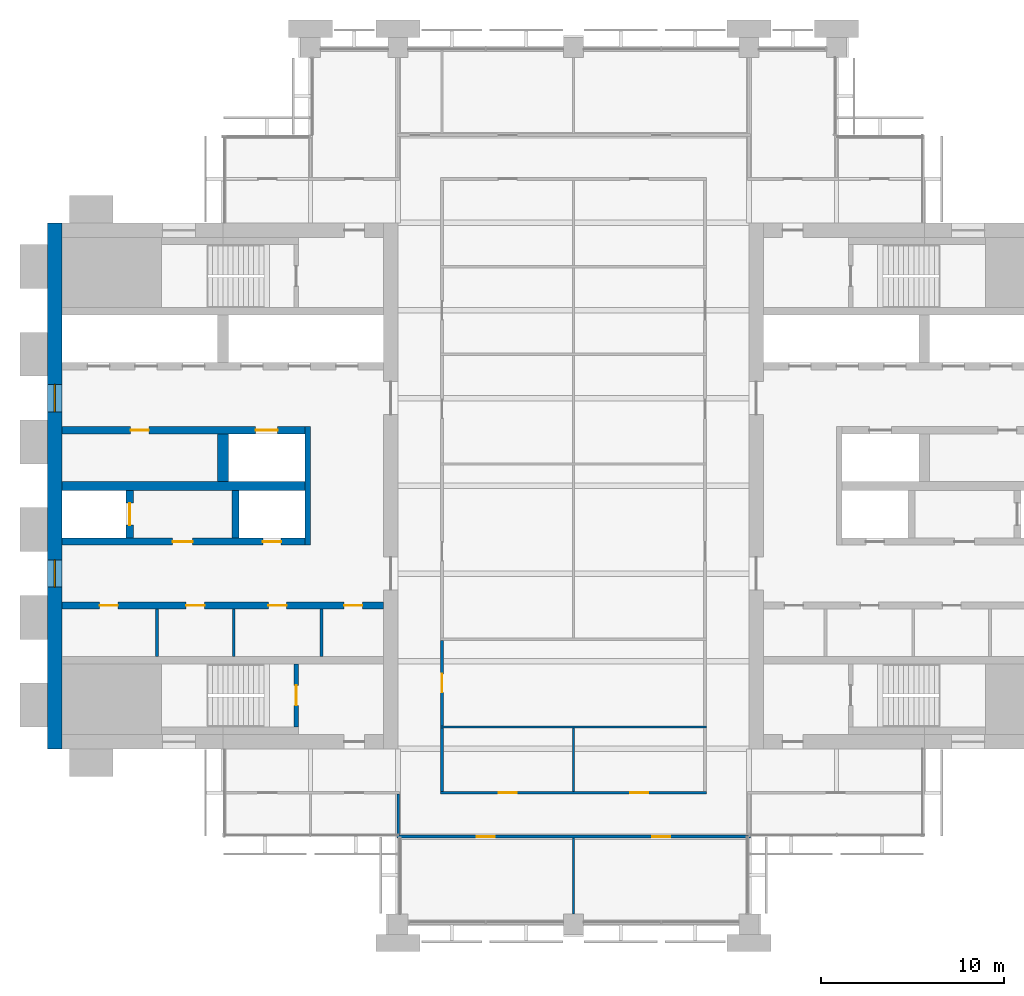
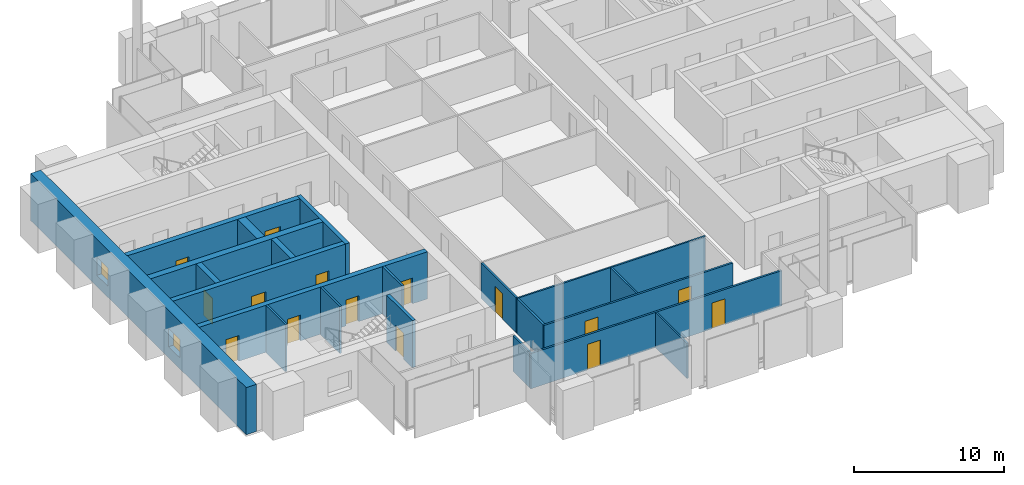
# One storey, part 8 of 13: 21 walls, 15 doors, 2 windows, 17 openings.
"""IFC4 building model written with IfcOpenShell, lengths in metres."""

from ifc_helpers import new_model, si_unit, direction, frame, frame_2d, origin, place, context, subcontext, project, spatial, rectangle, extrude, material, layer, layer_set, type_object, element, fill, save


model = new_model("IFC4")

# Units and contexts
model_context = context("Model", 3, precision=1e-05, world=origin(), true_north=direction((0.0, 1.0)))
body_context = subcontext(model_context, "Body", "Model", "MODEL_VIEW")
ifc_project = project(units=[si_unit("LENGTHUNIT", "METRE"), si_unit("AREAUNIT", "SQUARE_METRE"), si_unit("VOLUMEUNIT", "CUBIC_METRE"), si_unit("PLANEANGLEUNIT", "RADIAN"), si_unit("MASSUNIT", "GRAM", prefix="KILO")], contexts=[model_context])

# Site, building, storey
site_placement = place(None, origin())
site = spatial("IfcSite", under=ifc_project, at=site_placement, CompositionType="ELEMENT")
building_placement = place(site_placement, origin())
building = spatial("IfcBuilding", under=site, at=building_placement, Name="Baori Bourse Tower", CompositionType="ELEMENT")
storey_placement = place(building_placement, frame((0.0, 0.0, 201.199951171875)))
storey = spatial("IfcBuildingStorey", under=building, at=storey_placement, Name="L43", CompositionType="ELEMENT", Elevation=201.199951171875)

# Walls
ifc_material_1 = material(Name="Blockwork partition", Category="masonry")
ifc_layer_1 = layer(ifc_material_1, 0.14990234375)
ifc_layer_set_1 = layer_set([ifc_layer_1], Name="Core partition 150")
wall_type_1 = type_object("IfcWallType", Name="Core partition 150", PredefinedType="PARTITIONING", material=ifc_layer_set_1)
for number, where, z_axis, x_axis, name in (
    (1, (6.0, 14.64990234375, 0.0), (0.0, 0.0, 1.0), (0.0, 1.0, 0.0), "Partition wall W10"),
    (2, (10.199951171875, 14.64990234375, 0.0), (0.0, 0.0, 1.0), (0.0, 1.0, 0.0), "Partition wall W11"),
    (3, (15.0, 14.64990234375, 0.0), (0.0, 0.0, 1.0), (0.0, 1.0, 0.0), "Partition wall W12"),
):
    element("IfcWall", number, at=place(storey_placement, frame(where, z_axis=z_axis, x_axis=x_axis)), inside=storey, type_object=wall_type_1, Name=name, PredefinedType="PARTITIONING", context=body_context, shape_type="SweptSolid", body=[
        extrude(rectangle(XDim=2.60009765625, YDim=0.14990234375, at=frame_2d((1.300048828125, 0.0))), origin(), (0.0, 0.0, 1.0), 3.840087890625),
    ])

# Wall, openings, windows
ifc_material_2 = material(Name="Concrete f'c 50 MPa", Category="concrete")
ifc_layer_2 = layer(ifc_material_2, 0.800048828125)
ifc_layer_set_2 = layer_set([ifc_layer_2], Name="Core wall 800 f'c 50")
wall_type_2 = type_object("IfcWallType", Name="Core wall 800 f'c 50", PredefinedType="SHEAR", material=ifc_layer_set_2)
wall_1_placement = place(storey_placement, frame((0.39990234375, 9.60009765625, 0.0), z_axis=(0.0, 0.0, 1.0), x_axis=(0.0, 1.0, 0.0)))
wall_1 = element("IfcWall", 4, at=wall_1_placement, inside=storey, type_object=wall_type_2, Name="Core wall W01", PredefinedType="SHEAR", context=body_context, shape_type="SweptSolid", body=[
    extrude(rectangle(XDim=28.7998046875, YDim=0.800048828125, at=frame_2d((14.39990234375, 0.0))), origin(), (0.0, 0.0, 1.0), 3.840087890625),
])
opening_1_placement = place(wall_1_placement, frame((8.85009765625, 0.0, 0.89990234375)))
opening_1 = element("IfcOpeningElement", 5, at=opening_1_placement, cuts=wall_1, Name="Opening L43-KW101", PredefinedType="OPENING", context=body_context, shape_type="SweptSolid", body=[
    extrude(rectangle(XDim=1.5, YDim=1.5, at=frame_2d((0.75, 0.75))), frame((0.0, 0.409912109375, 0.0), z_axis=(0.0, -1.0, 0.0), x_axis=(1.0, 0.0, 0.0)), (0.0, 0.0, 1.0), 0.820068359375),
])
opening_2_placement = place(wall_1_placement, frame((18.449951171875, 0.0, 0.89990234375)))
opening_2 = element("IfcOpeningElement", 6, at=opening_2_placement, cuts=wall_1, Name="Opening L43-KW102", PredefinedType="OPENING", context=body_context, shape_type="SweptSolid", body=[
    extrude(rectangle(XDim=1.5, YDim=1.5, at=frame_2d((0.75, 0.75))), frame((0.0, 0.409912109375, 0.0), z_axis=(0.0, -1.0, 0.0), x_axis=(1.0, 0.0, 0.0)), (0.0, 0.0, 1.0), 0.820068359375),
])
ifc_material_3 = material(Name="Pale anodised aluminium", Category="aluminium")
window_type = type_object("IfcWindowType", Name="Lobby window 1500 x 1500", PartitioningType="SINGLE_PANEL", PredefinedType="WINDOW", material=ifc_material_3)
window_1_placement = place(opening_1_placement, origin())
window_1 = element("IfcWindow", 7, at=window_1_placement, inside=storey, type_object=window_type, Name="Outer wall window W L43 1", OverallHeight=1.5, OverallWidth=1.5, PartitioningType="SINGLE_PANEL", PredefinedType="WINDOW", context=body_context, shape_type="SweptSolid", body=[
    extrude(rectangle(XDim=1.5, YDim=1.5, at=frame_2d((0.75, 0.75))), frame((0.0, 0.030029296875, 0.0), z_axis=(0.0, -1.0, 0.0), x_axis=(1.0, 0.0, 0.0)), (0.0, 0.0, 1.0), 0.06005859375),
])
fill(opening_1, window_1)
window_2_placement = place(opening_2_placement, origin())
window_2 = element("IfcWindow", 8, at=window_2_placement, inside=storey, type_object=window_type, Name="Outer wall window W L43 2", OverallHeight=1.5, OverallWidth=1.5, PartitioningType="SINGLE_PANEL", PredefinedType="WINDOW", context=body_context, shape_type="SweptSolid", body=[
    extrude(rectangle(XDim=1.5, YDim=1.5, at=frame_2d((0.75, 0.75))), frame((0.0, 0.030029296875, 0.0), z_axis=(0.0, -1.0, 0.0), x_axis=(1.0, 0.0, 0.0)), (0.0, 0.0, 1.0), 0.06005859375),
])
fill(opening_2, window_2)

# Wall, openings, doors
ifc_material_4 = material(Name="Gypsum board partition")
ifc_layer_3 = layer(ifc_material_4, 0.14990234375)
ifc_layer_set_3 = layer_set([ifc_layer_3], Name="Corridor partition 150")
wall_type_3 = type_object("IfcWallType", Name="Corridor partition 150", PredefinedType="PARTITIONING", material=ifc_layer_set_3)
wall_2_placement = place(storey_placement, frame((19.125, 4.800048828125, 0.0), z_axis=(0.0, 0.0, 1.0), x_axis=(1.0, 0.0, 0.0)))
wall_2 = element("IfcWall", 9, at=wall_2_placement, inside=storey, type_object=wall_type_3, Name="Partition", PredefinedType="PARTITIONING", context=body_context, shape_type="SweptSolid", body=[
    extrude(rectangle(XDim=19.35009765625, YDim=0.14990234375, at=frame_2d((9.675048828125, 0.0))), origin(), (0.0, 0.0, 1.0), 2.869873046875),
])
opening_3_placement = place(wall_2_placement, frame((4.375, 0.0, 0.0)))
opening_3 = element("IfcOpeningElement", 10, at=opening_3_placement, cuts=wall_2, Name="Opening L43-D01", PredefinedType="OPENING", context=body_context, shape_type="SweptSolid", body=[
    extrude(rectangle(XDim=1.0, YDim=2.10009765625, at=frame_2d((0.5, 1.050048828125))), frame((0.0, 0.0849609375, 0.0), z_axis=(0.0, -1.0, 0.0), x_axis=(1.0, 0.0, 0.0)), (0.0, 0.0, 1.0), 0.169921875),
])
opening_4_placement = place(wall_2_placement, frame((13.97509765625, 0.0, 0.0)))
opening_4 = element("IfcOpeningElement", 11, at=opening_4_placement, cuts=wall_2, Name="Opening L43-D02", PredefinedType="OPENING", context=body_context, shape_type="SweptSolid", body=[
    extrude(rectangle(XDim=1.0, YDim=2.10009765625, at=frame_2d((0.5, 1.050048828125))), frame((0.0, 0.0849609375, 0.0), z_axis=(0.0, -1.0, 0.0), x_axis=(1.0, 0.0, 0.0)), (0.0, 0.0, 1.0), 0.169921875),
])
ifc_material_5 = material(Name="Timber door leaf", Category="wood")
door_type_1 = type_object("IfcDoorType", Name="Door 1000 x 2100", OperationType="SINGLE_SWING_LEFT", PredefinedType="DOOR", material=ifc_material_5)
door_1_placement = place(opening_3_placement, origin())
door_1 = element("IfcDoor", 12, at=door_1_placement, inside=storey, type_object=door_type_1, Name="Door", OperationType="SINGLE_SWING_LEFT", OverallHeight=2.10009765625, OverallWidth=1.0, PredefinedType="DOOR", context=body_context, shape_type="SweptSolid", body=[
    extrude(rectangle(XDim=1.0, YDim=2.10009765625, at=frame_2d((0.5, 1.050048828125))), frame((0.0, 0.02490234375, 0.0), z_axis=(0.0, -1.0, 0.0), x_axis=(1.0, 0.0, 0.0)), (0.0, 0.0, 1.0), 0.050048828125),
])
fill(opening_3, door_1)
door_2_placement = place(opening_4_placement, origin())
door_2 = element("IfcDoor", 13, at=door_2_placement, inside=storey, type_object=door_type_1, Name="Door", OperationType="SINGLE_SWING_RIGHT", OverallHeight=2.10009765625, OverallWidth=1.0, PredefinedType="DOOR", context=body_context, shape_type="SweptSolid", body=[
    extrude(rectangle(XDim=1.0, YDim=2.10009765625, at=frame_2d((0.5, 1.050048828125))), frame((0.0, 0.02490234375, 0.0), z_axis=(0.0, -1.0, 0.0), x_axis=(1.0, 0.0, 0.0)), (0.0, 0.0, 1.0), 0.050048828125),
])
fill(opening_4, door_2)

wall_3_placement = place(storey_placement, frame((21.52490234375, 7.199951171875, 0.0), z_axis=(0.0, 0.0, 1.0), x_axis=(1.0, 0.0, 0.0)))
wall_3 = element("IfcWall", 14, at=wall_3_placement, inside=storey, type_object=wall_type_3, Name="Partition", PredefinedType="PARTITIONING", context=body_context, shape_type="SweptSolid", body=[
    extrude(rectangle(XDim=14.550048828125, YDim=0.14990234375, at=frame_2d((7.27490234375, 0.0))), origin(), (0.0, 0.0, 1.0), 2.869873046875),
])
opening_5_placement = place(wall_3_placement, frame((3.175048828125, 0.0, 0.0)))
opening_5 = element("IfcOpeningElement", 15, at=opening_5_placement, cuts=wall_3, Name="Opening L43-D05", PredefinedType="OPENING", context=body_context, shape_type="SweptSolid", body=[
    extrude(rectangle(XDim=1.0, YDim=2.10009765625, at=frame_2d((0.5, 1.050048828125))), frame((0.0, 0.0849609375, 0.0), z_axis=(0.0, -1.0, 0.0), x_axis=(1.0, 0.0, 0.0)), (0.0, 0.0, 1.0), 0.169921875),
])
opening_6_placement = place(wall_3_placement, frame((10.375, 0.0, 0.0)))
opening_6 = element("IfcOpeningElement", 16, at=opening_6_placement, cuts=wall_3, Name="Opening L43-D06", PredefinedType="OPENING", context=body_context, shape_type="SweptSolid", body=[
    extrude(rectangle(XDim=1.0, YDim=2.10009765625, at=frame_2d((0.5, 1.050048828125))), frame((0.0, 0.0849609375, 0.0), z_axis=(0.0, -1.0, 0.0), x_axis=(1.0, 0.0, 0.0)), (0.0, 0.0, 1.0), 0.169921875),
])
door_3_placement = place(opening_5_placement, origin())
door_3 = element("IfcDoor", 17, at=door_3_placement, inside=storey, type_object=door_type_1, Name="Door", OperationType="SINGLE_SWING_RIGHT", OverallHeight=2.10009765625, OverallWidth=1.0, PredefinedType="DOOR", context=body_context, shape_type="SweptSolid", body=[
    extrude(rectangle(XDim=1.0, YDim=2.10009765625, at=frame_2d((0.5, 1.050048828125))), frame((0.0, 0.02490234375, 0.0), z_axis=(0.0, -1.0, 0.0), x_axis=(1.0, 0.0, 0.0)), (0.0, 0.0, 1.0), 0.050048828125),
])
fill(opening_5, door_3)
door_4_placement = place(opening_6_placement, origin())
door_4 = element("IfcDoor", 18, at=door_4_placement, inside=storey, type_object=door_type_1, Name="Door", OperationType="SINGLE_SWING_LEFT", OverallHeight=2.10009765625, OverallWidth=1.0, PredefinedType="DOOR", context=body_context, shape_type="SweptSolid", body=[
    extrude(rectangle(XDim=1.0, YDim=2.10009765625, at=frame_2d((0.5, 1.050048828125))), frame((0.0, 0.02490234375, 0.0), z_axis=(0.0, -1.0, 0.0), x_axis=(1.0, 0.0, 0.0)), (0.0, 0.0, 1.0), 0.050048828125),
])
fill(opening_6, door_4)

# Walls
wall_4_placement = place(storey_placement, frame((19.199951171875, 4.875, 0.0), z_axis=(0.0, 0.0, 1.0), x_axis=(0.0, 1.0, 0.0)))
element("IfcWall", 19, at=wall_4_placement, inside=storey, type_object=wall_type_3, Name="Partition", PredefinedType="PARTITIONING", context=body_context, shape_type="SweptSolid", body=[
    extrude(rectangle(XDim=2.25, YDim=0.14990234375, at=frame_2d((1.125, 0.0))), origin(), (0.0, 0.0, 1.0), 2.869873046875),
])
wall_5_placement = place(storey_placement, frame((21.60009765625, 7.27490234375, 0.0), z_axis=(0.0, 0.0, 1.0), x_axis=(0.0, 1.0, 0.0)))
element("IfcWall", 20, at=wall_5_placement, inside=storey, type_object=wall_type_3, Name="Partition", PredefinedType="PARTITIONING", context=body_context, shape_type="SweptSolid", body=[
    extrude(rectangle(XDim=3.462646484375, YDim=0.14990234375, at=frame_2d((1.7314453125, 0.0))), origin(), (0.0, 0.0, 1.0), 2.869873046875),
])

# Wall, opening, door
wall_6_placement = place(storey_placement, frame((21.60009765625, 10.862548828125, 0.0), z_axis=(0.0, 0.0, 1.0), x_axis=(0.0, 1.0, 0.0)))
wall_6 = element("IfcWall", 21, at=wall_6_placement, inside=storey, type_object=wall_type_3, Name="Partition", PredefinedType="PARTITIONING", context=body_context, shape_type="SweptSolid", body=[
    extrude(rectangle(XDim=4.675048828125, YDim=0.14990234375, at=frame_2d((2.33740234375, 0.0))), origin(), (0.0, 0.0, 1.0), 2.869873046875),
])
opening_7_placement = place(wall_6_placement, frame((1.83740234375, 0.0, 0.0)))
opening_7 = element("IfcOpeningElement", 22, at=opening_7_placement, cuts=wall_6, Name="Opening L43-D17", PredefinedType="OPENING", context=body_context, shape_type="SweptSolid", body=[
    extrude(rectangle(XDim=1.0, YDim=2.10009765625, at=frame_2d((0.5, 1.050048828125))), frame((0.0, 0.0849609375, 0.0), z_axis=(0.0, -1.0, 0.0), x_axis=(1.0, 0.0, 0.0)), (0.0, 0.0, 1.0), 0.169921875),
])
door_5_placement = place(opening_7_placement, origin())
door_5 = element("IfcDoor", 23, at=door_5_placement, inside=storey, type_object=door_type_1, Name="Door", OperationType="SINGLE_SWING_LEFT", OverallHeight=2.10009765625, OverallWidth=1.0, PredefinedType="DOOR", context=body_context, shape_type="SweptSolid", body=[
    extrude(rectangle(XDim=1.0, YDim=2.10009765625, at=frame_2d((0.5, 1.050048828125))), frame((0.0, 0.02490234375, 0.0), z_axis=(0.0, -1.0, 0.0), x_axis=(1.0, 0.0, 0.0)), (0.0, 0.0, 1.0), 0.050048828125),
])
fill(opening_7, door_5)

# Walls
ifc_material_6 = material(Name="Gypsum board partition")
ifc_layer_4 = layer(ifc_material_6, 0.125)
ifc_layer_set_4 = layer_set([ifc_layer_4], Name="Partition 125")
wall_type_4 = type_object("IfcWallType", Name="Partition 125", PredefinedType="PARTITIONING", material=ifc_layer_set_4)
wall_7_placement = place(storey_placement, frame((21.52490234375, 10.800048828125, 0.0), z_axis=(0.0, 0.0, 1.0), x_axis=(1.0, 0.0, 0.0)))
element("IfcWall", 24, at=wall_7_placement, inside=storey, type_object=wall_type_4, Name="Partition", PredefinedType="PARTITIONING", context=body_context, shape_type="SweptSolid", body=[
    extrude(rectangle(XDim=14.550048828125, YDim=0.125, at=frame_2d((7.27490234375, 0.0))), origin(), (0.0, 0.0, 1.0), 2.869873046875),
])
wall_8_placement = place(storey_placement, frame((28.800048828125, 0.550048828125, 0.0), z_axis=(0.0, 0.0, 1.0), x_axis=(0.0, 1.0, 0.0)))
element("IfcWall", 25, at=wall_8_placement, inside=storey, type_object=wall_type_4, Name="Partition", PredefinedType="PARTITIONING", context=body_context, shape_type="SweptSolid", body=[
    extrude(rectangle(XDim=4.175048828125, YDim=0.125, at=frame_2d((2.08740234375, 0.0))), origin(), (0.0, 0.0, 1.0), 2.869873046875),
])
wall_9_placement = place(storey_placement, frame((28.800048828125, 7.27490234375, 0.0), z_axis=(0.0, 0.0, 1.0), x_axis=(0.0, 1.0, 0.0)))
element("IfcWall", 26, at=wall_9_placement, inside=storey, type_object=wall_type_4, Name="Partition", PredefinedType="PARTITIONING", context=body_context, shape_type="SweptSolid", body=[
    extrude(rectangle(XDim=3.462646484375, YDim=0.125, at=frame_2d((1.7314453125, 0.0))), origin(), (0.0, 0.0, 1.0), 2.869873046875),
])

# Wall, opening, door
ifc_material_7 = material(Name="Concrete f'c 50 MPa", Category="concrete")
ifc_layer_5 = layer(ifc_material_7, 0.25)
ifc_layer_set_5 = layer_set([ifc_layer_5], Name="Shaft wall 250 f'c 50")
wall_type_5 = type_object("IfcWallType", Name="Shaft wall 250 f'c 50", PredefinedType="SHEAR", material=ifc_layer_set_5)
wall_10_placement = place(storey_placement, frame((13.625, 10.800048828125, 0.0), z_axis=(0.0, 0.0, 1.0), x_axis=(0.0, 1.0, 0.0)))
wall_10 = element("IfcWall", 27, at=wall_10_placement, inside=storey, type_object=wall_type_5, Name="Core wall W08", PredefinedType="SHEAR", context=body_context, shape_type="SweptSolid", body=[
    extrude(rectangle(XDim=3.449951171875, YDim=0.25, at=frame_2d((1.72509765625, 0.0))), origin(), (0.0, 0.0, 1.0), 3.840087890625),
])
opening_8_placement = place(wall_10_placement, frame((1.175048828125, 0.0, 0.0)))
opening_8 = element("IfcOpeningElement", 28, at=opening_8_placement, cuts=wall_10, Name="Opening L43-D101", PredefinedType="OPENING", context=body_context, shape_type="SweptSolid", body=[
    extrude(rectangle(XDim=1.10009765625, YDim=2.10009765625, at=frame_2d((0.550048828125, 1.050048828125))), frame((0.0, 0.135009765625, 0.0), z_axis=(0.0, -1.0, 0.0), x_axis=(1.0, 0.0, 0.0)), (0.0, 0.0, 1.0), 0.27001953125),
])
ifc_material_8 = material(Name="Painted steel door", Category="steel")
door_type_2 = type_object("IfcDoorType", Name="Stair door 1100", OperationType="SINGLE_SWING_LEFT", PredefinedType="DOOR", material=ifc_material_8)
door_6_placement = place(opening_8_placement, origin())
door_6 = element("IfcDoor", 29, at=door_6_placement, inside=storey, type_object=door_type_2, Name="Stair door A W L43", OperationType="SINGLE_SWING_LEFT", OverallHeight=2.10009765625, OverallWidth=1.10009765625, PredefinedType="DOOR", context=body_context, shape_type="SweptSolid", body=[
    extrude(rectangle(XDim=1.10009765625, YDim=2.10009765625, at=frame_2d((0.550048828125, 1.050048828125))), frame((0.0, 0.02490234375, 0.0), z_axis=(0.0, -1.0, 0.0), x_axis=(1.0, 0.0, 0.0)), (0.0, 0.0, 1.0), 0.050048828125),
])
fill(opening_8, door_6)

# Wall
ifc_material_9 = material(Name="Concrete f'c 50 MPa", Category="concrete")
ifc_layer_6 = layer(ifc_material_9, 0.300048828125)
ifc_layer_set_6 = layer_set([ifc_layer_6], Name="Shaft wall 300 f'c 50")
wall_type_6 = type_object("IfcWallType", Name="Shaft wall 300 f'c 50", PredefinedType="SHEAR", material=ifc_layer_set_6)
wall_11_placement = place(storey_placement, frame((14.25, 20.75, 0.0), z_axis=(0.0, 0.0, 1.0), x_axis=(0.0, 1.0, 0.0)))
element("IfcWall", 30, at=wall_11_placement, inside=storey, type_object=wall_type_6, Name="Core wall W15", PredefinedType="SHEAR", context=body_context, shape_type="SweptSolid", body=[
    extrude(rectangle(XDim=6.5, YDim=0.300048828125, at=frame_2d((3.25, 0.0))), origin(), (0.0, 0.0, 1.0), 3.840087890625),
])

# Wall, openings, doors
ifc_material_10 = material(Name="Concrete f'c 50 MPa", Category="concrete")
ifc_layer_7 = layer(ifc_material_10, 0.39990234375)
ifc_layer_set_7 = layer_set([ifc_layer_7], Name="Shaft wall 400 f'c 50")
wall_type_7 = type_object("IfcWallType", Name="Shaft wall 400 f'c 50", PredefinedType="SHEAR", material=ifc_layer_set_7)
wall_12_placement = place(storey_placement, frame((0.800048828125, 17.449951171875, 0.0), z_axis=(0.0, 0.0, 1.0), x_axis=(1.0, 0.0, 0.0)))
wall_12 = element("IfcWall", 31, at=wall_12_placement, inside=storey, type_object=wall_type_7, Name="Core wall W13", PredefinedType="SHEAR", context=body_context, shape_type="SweptSolid", body=[
    extrude(rectangle(XDim=17.599853515625, YDim=0.39990234375, at=frame_2d((8.7998046875, 0.0))), origin(), (0.0, 0.0, 1.0), 3.840087890625),
])
opening_9_placement = place(wall_12_placement, frame((2.0625, 0.0, 0.0)))
opening_9 = element("IfcOpeningElement", 32, at=opening_9_placement, cuts=wall_12, Name="Opening L43-D109", PredefinedType="OPENING", context=body_context, shape_type="SweptSolid", body=[
    extrude(rectangle(XDim=1.0, YDim=2.10009765625, at=frame_2d((0.5, 1.050048828125))), frame((0.0, 0.2099609375, 0.0), z_axis=(0.0, -1.0, 0.0), x_axis=(1.0, 0.0, 0.0)), (0.0, 0.0, 1.0), 0.419921875),
])
opening_10_placement = place(wall_12_placement, frame((6.800048828125, 0.0, 0.0)))
opening_10 = element("IfcOpeningElement", 33, at=opening_10_placement, cuts=wall_12, Name="Opening L43-D110", PredefinedType="OPENING", context=body_context, shape_type="SweptSolid", body=[
    extrude(rectangle(XDim=1.0, YDim=2.10009765625, at=frame_2d((0.5, 1.050048828125))), frame((0.0, 0.2099609375, 0.0), z_axis=(0.0, -1.0, 0.0), x_axis=(1.0, 0.0, 0.0)), (0.0, 0.0, 1.0), 0.419921875),
])
opening_11_placement = place(wall_12_placement, frame((11.300048828125, 0.0, 0.0)))
opening_11 = element("IfcOpeningElement", 34, at=opening_11_placement, cuts=wall_12, Name="Opening L43-D111", PredefinedType="OPENING", context=body_context, shape_type="SweptSolid", body=[
    extrude(rectangle(XDim=1.0, YDim=2.10009765625, at=frame_2d((0.5, 1.050048828125))), frame((0.0, 0.2099609375, 0.0), z_axis=(0.0, -1.0, 0.0), x_axis=(1.0, 0.0, 0.0)), (0.0, 0.0, 1.0), 0.419921875),
])
opening_12_placement = place(wall_12_placement, frame((15.4375, 0.0, 0.0)))
opening_12 = element("IfcOpeningElement", 35, at=opening_12_placement, cuts=wall_12, Name="Opening L43-D112", PredefinedType="OPENING", context=body_context, shape_type="SweptSolid", body=[
    extrude(rectangle(XDim=1.0, YDim=2.10009765625, at=frame_2d((0.5, 1.050048828125))), frame((0.0, 0.2099609375, 0.0), z_axis=(0.0, -1.0, 0.0), x_axis=(1.0, 0.0, 0.0)), (0.0, 0.0, 1.0), 0.419921875),
])
ifc_material_11 = material(Name="Painted steel door", Category="steel")
door_type_3 = type_object("IfcDoorType", Name="Core door 1000", OperationType="SINGLE_SWING_LEFT", PredefinedType="DOOR", material=ifc_material_11)
door_7_placement = place(opening_9_placement, origin())
door_7 = element("IfcDoor", 36, at=door_7_placement, inside=storey, type_object=door_type_3, Name="Men'S Wc door W L43", OperationType="SINGLE_SWING_LEFT", OverallHeight=2.10009765625, OverallWidth=1.0, PredefinedType="DOOR", context=body_context, shape_type="SweptSolid", body=[
    extrude(rectangle(XDim=1.0, YDim=2.10009765625, at=frame_2d((0.5, 1.050048828125))), frame((0.0, 0.02490234375, 0.0), z_axis=(0.0, -1.0, 0.0), x_axis=(1.0, 0.0, 0.0)), (0.0, 0.0, 1.0), 0.050048828125),
])
fill(opening_9, door_7)
door_8_placement = place(opening_10_placement, origin())
door_8 = element("IfcDoor", 37, at=door_8_placement, inside=storey, type_object=door_type_3, Name="Accessible Wc door W L43", OperationType="SINGLE_SWING_LEFT", OverallHeight=2.10009765625, OverallWidth=1.0, PredefinedType="DOOR", context=body_context, shape_type="SweptSolid", body=[
    extrude(rectangle(XDim=1.0, YDim=2.10009765625, at=frame_2d((0.5, 1.050048828125))), frame((0.0, 0.02490234375, 0.0), z_axis=(0.0, -1.0, 0.0), x_axis=(1.0, 0.0, 0.0)), (0.0, 0.0, 1.0), 0.050048828125),
])
fill(opening_10, door_8)
door_9_placement = place(opening_11_placement, origin())
door_9 = element("IfcDoor", 38, at=door_9_placement, inside=storey, type_object=door_type_3, Name="Women'S Wc door W L43", OperationType="SINGLE_SWING_LEFT", OverallHeight=2.10009765625, OverallWidth=1.0, PredefinedType="DOOR", context=body_context, shape_type="SweptSolid", body=[
    extrude(rectangle(XDim=1.0, YDim=2.10009765625, at=frame_2d((0.5, 1.050048828125))), frame((0.0, 0.02490234375, 0.0), z_axis=(0.0, -1.0, 0.0), x_axis=(1.0, 0.0, 0.0)), (0.0, 0.0, 1.0), 0.050048828125),
])
fill(opening_11, door_9)
ifc_material_12 = material(Name="Painted steel door", Category="steel")
door_type_4 = type_object("IfcDoorType", Name="Plant room door 1000", OperationType="SINGLE_SWING_LEFT", PredefinedType="DOOR", material=ifc_material_12)
door_10_placement = place(opening_12_placement, origin())
door_10 = element("IfcDoor", 39, at=door_10_placement, inside=storey, type_object=door_type_4, Name="Plumbing Equipment Room door W L43", OperationType="SINGLE_SWING_LEFT", OverallHeight=2.10009765625, OverallWidth=1.0, PredefinedType="DOOR", context=body_context, shape_type="SweptSolid", body=[
    extrude(rectangle(XDim=1.0, YDim=2.10009765625, at=frame_2d((0.5, 1.050048828125))), frame((0.0, 0.02490234375, 0.0), z_axis=(0.0, -1.0, 0.0), x_axis=(1.0, 0.0, 0.0)), (0.0, 0.0, 1.0), 0.050048828125),
])
fill(opening_12, door_10)

wall_13_placement = place(storey_placement, frame((0.800048828125, 20.949951171875, 0.0), z_axis=(0.0, 0.0, 1.0), x_axis=(1.0, 0.0, 0.0)))
wall_13 = element("IfcWall", 40, at=wall_13_placement, inside=storey, type_object=wall_type_7, Name="Core wall W14", PredefinedType="SHEAR", context=body_context, shape_type="SweptSolid", body=[
    extrude(rectangle(XDim=13.300048828125, YDim=0.39990234375, at=frame_2d((6.64990234375, 0.0))), origin(), (0.0, 0.0, 1.0), 3.840087890625),
])
opening_13_placement = place(wall_13_placement, frame((6.050048828125, 0.0, 0.0)))
opening_13 = element("IfcOpeningElement", 41, at=opening_13_placement, cuts=wall_13, Name="Opening L43-D105", PredefinedType="OPENING", context=body_context, shape_type="SweptSolid", body=[
    extrude(rectangle(XDim=1.10009765625, YDim=2.10009765625, at=frame_2d((0.550048828125, 1.050048828125))), frame((0.0, 0.2099609375, 0.0), z_axis=(0.0, -1.0, 0.0), x_axis=(1.0, 0.0, 0.0)), (0.0, 0.0, 1.0), 0.419921875),
])
opening_14_placement = place(wall_13_placement, frame((11.0, 0.0, 0.0)))
opening_14 = element("IfcOpeningElement", 42, at=opening_14_placement, cuts=wall_13, Name="Opening L43-D106", PredefinedType="OPENING", context=body_context, shape_type="SweptSolid", body=[
    extrude(rectangle(XDim=1.0, YDim=2.10009765625, at=frame_2d((0.5, 1.050048828125))), frame((0.0, 0.2099609375, 0.0), z_axis=(0.0, -1.0, 0.0), x_axis=(1.0, 0.0, 0.0)), (0.0, 0.0, 1.0), 0.419921875),
])
ifc_material_13 = material(Name="Painted steel door", Category="steel")
door_type_5 = type_object("IfcDoorType", Name="Lobby door 1100", OperationType="SINGLE_SWING_LEFT", PredefinedType="DOOR", material=ifc_material_13)
door_11_placement = place(opening_13_placement, origin())
door_11 = element("IfcDoor", 43, at=door_11_placement, inside=storey, type_object=door_type_5, Name="Firefighting lobby door W L43", OperationType="SINGLE_SWING_LEFT", OverallHeight=2.10009765625, OverallWidth=1.10009765625, PredefinedType="DOOR", context=body_context, shape_type="SweptSolid", body=[
    extrude(rectangle(XDim=1.10009765625, YDim=2.10009765625, at=frame_2d((0.550048828125, 1.050048828125))), frame((0.0, 0.02490234375, 0.0), z_axis=(0.0, -1.0, 0.0), x_axis=(1.0, 0.0, 0.0)), (0.0, 0.0, 1.0), 0.050048828125),
])
fill(opening_13, door_11)
ifc_material_14 = material(Name="Painted steel door", Category="steel")
door_type_6 = type_object("IfcDoorType", Name="Shaft door 1000", OperationType="SINGLE_SWING_LEFT", PredefinedType="DOOR", material=ifc_material_14)
door_12_placement = place(opening_14_placement, origin())
door_12 = element("IfcDoor", 44, at=door_12_placement, inside=storey, type_object=door_type_6, Name="Riser room door W L43", OperationType="SINGLE_SWING_LEFT", OverallHeight=2.10009765625, OverallWidth=1.0, PredefinedType="DOOR", context=body_context, shape_type="SweptSolid", body=[
    extrude(rectangle(XDim=1.0, YDim=2.10009765625, at=frame_2d((0.5, 1.050048828125))), frame((0.0, 0.02490234375, 0.0), z_axis=(0.0, -1.0, 0.0), x_axis=(1.0, 0.0, 0.0)), (0.0, 0.0, 1.0), 0.050048828125),
])
fill(opening_14, door_12)

# Wall, opening, door
wall_14_placement = place(storey_placement, frame((4.5, 21.14990234375, 0.0), z_axis=(0.0, 0.0, 1.0), x_axis=(0.0, 1.0, 0.0)))
wall_14 = element("IfcWall", 45, at=wall_14_placement, inside=storey, type_object=wall_type_7, Name="Core wall W16", PredefinedType="SHEAR", context=body_context, shape_type="SweptSolid", body=[
    extrude(rectangle(XDim=2.60009765625, YDim=0.39990234375, at=frame_2d((1.300048828125, 0.0))), origin(), (0.0, 0.0, 1.0), 3.840087890625),
])
opening_15_placement = place(wall_14_placement, frame((0.699951171875, 0.0, 0.0)))
opening_15 = element("IfcOpeningElement", 46, at=opening_15_placement, cuts=wall_14, Name="Opening L43-D121", PredefinedType="OPENING", context=body_context, shape_type="SweptSolid", body=[
    extrude(rectangle(XDim=1.199951171875, YDim=2.10009765625, at=frame_2d((0.60009765625, 1.050048828125))), frame((0.0, 0.2099609375, 0.0), z_axis=(0.0, -1.0, 0.0), x_axis=(1.0, 0.0, 0.0)), (0.0, 0.0, 1.0), 0.419921875),
])
ifc_material_15 = material(Name="Stainless steel door", Category="steel")
door_type_7 = type_object("IfcDoorType", Name="Lift landing door", OperationType="DOUBLE_DOOR_SLIDING", PredefinedType="DOOR", material=ifc_material_15)
door_13_placement = place(opening_15_placement, origin())
door_13 = element("IfcDoor", 47, at=door_13_placement, inside=storey, type_object=door_type_7, Name="Lift landing door FF1 W L43", OperationType="DOUBLE_DOOR_SLIDING", OverallHeight=2.10009765625, OverallWidth=1.199951171875, PredefinedType="DOOR", context=body_context, shape_type="SweptSolid", body=[
    extrude(rectangle(XDim=1.199951171875, YDim=2.10009765625, at=frame_2d((0.60009765625, 1.050048828125))), frame((0.0, 0.02490234375, 0.0), z_axis=(0.0, -1.0, 0.0), x_axis=(1.0, 0.0, 0.0)), (0.0, 0.0, 1.0), 0.050048828125),
])
fill(opening_15, door_13)

# Wall
wall_15_placement = place(storey_placement, frame((10.300048828125, 21.14990234375, 0.0), z_axis=(0.0, 0.0, 1.0), x_axis=(0.0, 1.0, 0.0)))
element("IfcWall", 48, at=wall_15_placement, inside=storey, type_object=wall_type_7, Name="Core wall W17", PredefinedType="SHEAR", context=body_context, shape_type="SweptSolid", body=[
    extrude(rectangle(XDim=2.60009765625, YDim=0.39990234375, at=frame_2d((1.300048828125, 0.0))), origin(), (0.0, 0.0, 1.0), 3.840087890625),
])

# Wall, openings, doors
wall_16_placement = place(storey_placement, frame((0.800048828125, 27.050048828125, 0.0), z_axis=(0.0, 0.0, 1.0), x_axis=(1.0, 0.0, 0.0)))
wall_16 = element("IfcWall", 49, at=wall_16_placement, inside=storey, type_object=wall_type_7, Name="Core wall W20", PredefinedType="SHEAR", context=body_context, shape_type="SweptSolid", body=[
    extrude(rectangle(XDim=13.300048828125, YDim=0.39990234375, at=frame_2d((6.64990234375, 0.0))), origin(), (0.0, 0.0, 1.0), 3.840087890625),
])
opening_16_placement = place(wall_16_placement, frame((3.75, 0.0, 0.0)))
opening_16 = element("IfcOpeningElement", 50, at=opening_16_placement, cuts=wall_16, Name="Opening L43-D113", PredefinedType="OPENING", context=body_context, shape_type="SweptSolid", body=[
    extrude(rectangle(XDim=1.0, YDim=2.10009765625, at=frame_2d((0.5, 1.050048828125))), frame((0.0, 0.2099609375, 0.0), z_axis=(0.0, -1.0, 0.0), x_axis=(1.0, 0.0, 0.0)), (0.0, 0.0, 1.0), 0.419921875),
])
opening_17_placement = place(wall_16_placement, frame((10.60009765625, 0.0, 0.0)))
opening_17 = element("IfcOpeningElement", 51, at=opening_17_placement, cuts=wall_16, Name="Opening L43-D120", PredefinedType="OPENING", context=body_context, shape_type="SweptSolid", body=[
    extrude(rectangle(XDim=1.199951171875, YDim=2.10009765625, at=frame_2d((0.60009765625, 1.050048828125))), frame((0.0, 0.2099609375, 0.0), z_axis=(0.0, -1.0, 0.0), x_axis=(1.0, 0.0, 0.0)), (0.0, 0.0, 1.0), 0.419921875),
])
door_14_placement = place(opening_16_placement, origin())
door_14 = element("IfcDoor", 52, at=door_14_placement, inside=storey, type_object=door_type_3, Name="Store Room door W L43", OperationType="SINGLE_SWING_LEFT", OverallHeight=2.10009765625, OverallWidth=1.0, PredefinedType="DOOR", context=body_context, shape_type="SweptSolid", body=[
    extrude(rectangle(XDim=1.0, YDim=2.10009765625, at=frame_2d((0.5, 1.050048828125))), frame((0.0, 0.02490234375, 0.0), z_axis=(0.0, -1.0, 0.0), x_axis=(1.0, 0.0, 0.0)), (0.0, 0.0, 1.0), 0.050048828125),
])
fill(opening_16, door_14)
door_15_placement = place(opening_17_placement, origin())
door_15 = element("IfcDoor", 53, at=door_15_placement, inside=storey, type_object=door_type_7, Name="Lift landing door SV1 W L43", OperationType="DOUBLE_DOOR_SLIDING", OverallHeight=2.10009765625, OverallWidth=1.199951171875, PredefinedType="DOOR", context=body_context, shape_type="SweptSolid", body=[
    extrude(rectangle(XDim=1.199951171875, YDim=2.10009765625, at=frame_2d((0.60009765625, 1.050048828125))), frame((0.0, 0.02490234375, 0.0), z_axis=(0.0, -1.0, 0.0), x_axis=(1.0, 0.0, 0.0)), (0.0, 0.0, 1.0), 0.050048828125),
])
fill(opening_17, door_15)

# Walls
ifc_material_16 = material(Name="Concrete f'c 50 MPa", Category="concrete")
ifc_layer_8 = layer(ifc_material_16, 0.5)
ifc_layer_set_8 = layer_set([ifc_layer_8], Name="Shaft wall 500 f'c 50")
wall_type_8 = type_object("IfcWallType", Name="Shaft wall 500 f'c 50", PredefinedType="SHEAR", material=ifc_layer_set_8)
wall_17_placement = place(storey_placement, frame((0.800048828125, 24.0, 0.0), z_axis=(0.0, 0.0, 1.0), x_axis=(1.0, 0.0, 0.0)))
element("IfcWall", 54, at=wall_17_placement, inside=storey, type_object=wall_type_8, Name="Core wall W18", PredefinedType="SHEAR", context=body_context, shape_type="SweptSolid", body=[
    extrude(rectangle(XDim=13.300048828125, YDim=0.5, at=frame_2d((6.64990234375, 0.0))), origin(), (0.0, 0.0, 1.0), 3.840087890625),
])
ifc_material_17 = material(Name="Concrete f'c 50 MPa", Category="concrete")
ifc_layer_9 = layer(ifc_material_17, 0.60009765625)
ifc_layer_set_9 = layer_set([ifc_layer_9], Name="Shaft wall 600 f'c 50")
wall_type_9 = type_object("IfcWallType", Name="Shaft wall 600 f'c 50", PredefinedType="SHEAR", material=ifc_layer_set_9)
wall_18_placement = place(storey_placement, frame((9.60009765625, 24.25, 0.0), z_axis=(0.0, 0.0, 1.0), x_axis=(0.0, 1.0, 0.0)))
element("IfcWall", 55, at=wall_18_placement, inside=storey, type_object=wall_type_9, Name="Core wall W19", PredefinedType="SHEAR", context=body_context, shape_type="SweptSolid", body=[
    extrude(rectangle(XDim=2.60009765625, YDim=0.60009765625, at=frame_2d((1.300048828125, 0.0))), origin(), (0.0, 0.0, 1.0), 3.840087890625),
])

save(model, "model.ifc")
